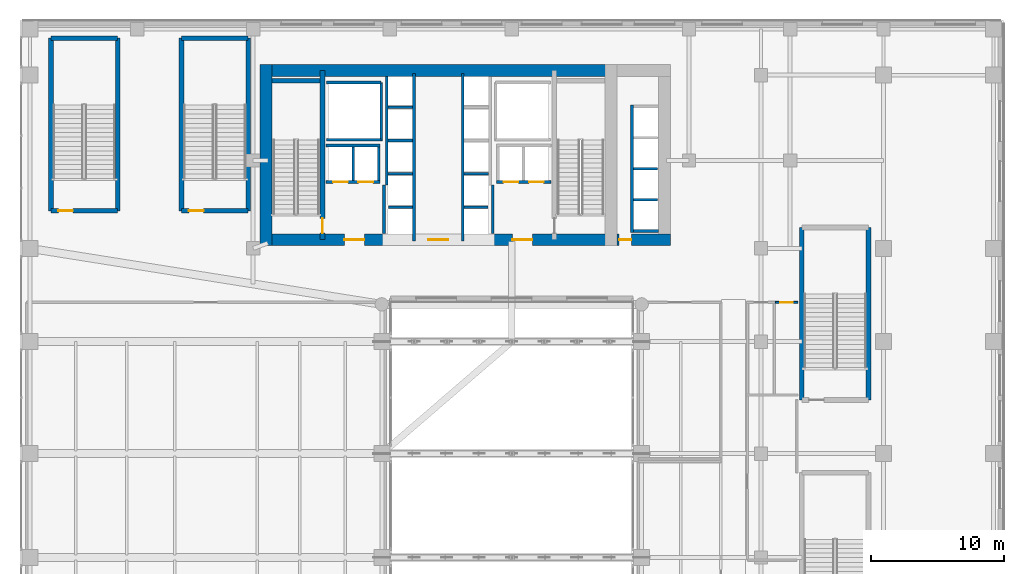
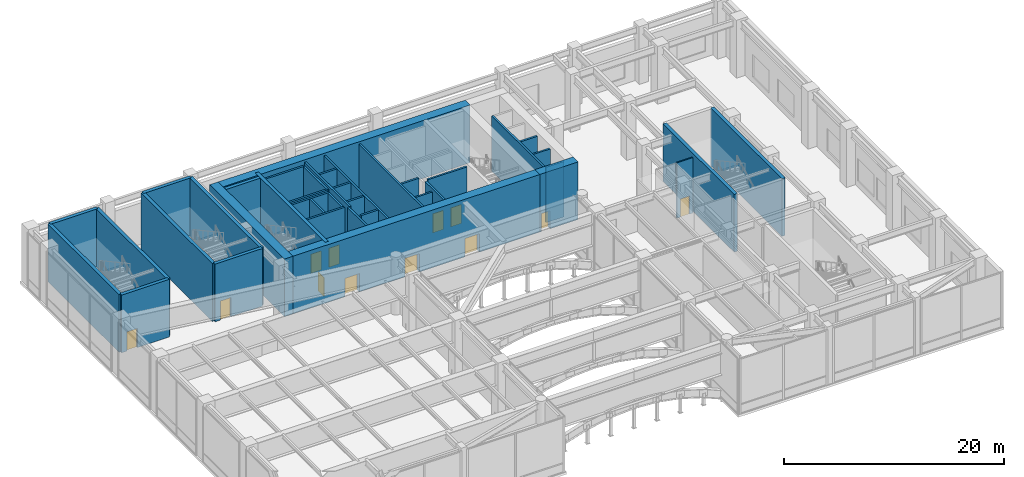
# One storey, part 40 of 50: 40 walls, 12 doors, 12 openings.
"""IFC4 building model written with IfcOpenShell, lengths in metres."""

from ifc_helpers import new_model, si_unit, direction, frame, frame_2d, origin, place, context, subcontext, project, spatial, rectangle, extrude, source, transform, mapped, material, layer, layer_set, type_object, type_shapes, element, fill, save


model = new_model("IFC4")

# Units and contexts
model_context = context("Model", 3, precision=1e-05, world=origin(), true_north=direction((0.0, 1.0)))
body_context = subcontext(model_context, "Body", "Model", "MODEL_VIEW")
ifc_project = project(units=[si_unit("LENGTHUNIT", "METRE"), si_unit("AREAUNIT", "SQUARE_METRE"), si_unit("VOLUMEUNIT", "CUBIC_METRE"), si_unit("PLANEANGLEUNIT", "RADIAN"), si_unit("MASSUNIT", "GRAM", prefix="KILO")], contexts=[model_context])

# Site, building, storey
site_placement = place(None, origin())
site = spatial("IfcSite", under=ifc_project, at=site_placement, CompositionType="ELEMENT")
building_placement = place(site_placement, origin())
building = spatial("IfcBuilding", under=site, at=building_placement, Name="Tolvann Quenvar Hotel", CompositionType="ELEMENT")
storey_placement = place(building_placement, frame((0.0, 0.0, 16.0)))
storey = spatial("IfcBuildingStorey", under=building, at=storey_placement, Name="L03", CompositionType="ELEMENT", Elevation=16.0)

# Wall, openings, doors
ifc_material_1 = material(Name="Concrete S80 (80 MPa)", Category="concrete")
ifc_layer_1 = layer(ifc_material_1, 0.89990234375)
ifc_layer_set_1 = layer_set([ifc_layer_1], Name="Concrete S80 (80 MPa)")
wall_type_1 = type_object("IfcWallType", Name="WALL_CORE_900", PredefinedType="SHEAR", material=ifc_layer_set_1)
wall_1_placement = place(storey_placement, frame((9.60009765625, 32.050048828125, 0.0), z_axis=(0.0, 0.0, 1.0), x_axis=(1.0, 0.0, 0.0)))
wall_1 = element("IfcWall", 1, at=wall_1_placement, inside=storey, type_object=wall_type_1, Name="Rear Core S Shear Wall (L03)", PredefinedType="SHEAR", context=body_context, shape_type="SweptSolid", body=[
    extrude(rectangle(XDim=26.7998046875, YDim=0.89990234375, at=frame_2d((13.39990234375, 0.0))), origin(), (0.0, 0.0, 1.0), 6.39990234375),
])
opening_1_placement = place(wall_1_placement, frame((7.85009765625, 0.0, 0.0), z_axis=(0.0, 0.0, 1.0), x_axis=(-1.0, 0.0, 0.0)))
opening_1 = element("IfcOpeningElement", 2, at=opening_1_placement, cuts=wall_1, Name="Opening FD-60D", PredefinedType="OPENING", context=body_context, shape_type="SweptSolid", body=[
    extrude(rectangle(XDim=1.5, YDim=2.0400390625, at=frame_2d((0.75, 1.02001953125))), frame((0.0, 0.4599609375, 0.0), z_axis=(0.0, -1.0, 0.0), x_axis=(1.0, 0.0, 0.0)), (0.0, 0.0, 1.0), 0.919921875),
])
opening_2_placement = place(wall_1_placement, frame((14.14990234375, 0.0, 0.0), z_axis=(0.0, 0.0, 1.0), x_axis=(-1.0, 0.0, 0.0)))
opening_2 = element("IfcOpeningElement", 3, at=opening_2_placement, cuts=wall_1, Name="Opening FD-60D", PredefinedType="OPENING", context=body_context, shape_type="SweptSolid", body=[
    extrude(rectangle(XDim=1.5, YDim=2.0400390625, at=frame_2d((0.75, 1.02001953125))), frame((0.0, 0.4599609375, 0.0), z_axis=(0.0, -1.0, 0.0), x_axis=(1.0, 0.0, 0.0)), (0.0, 0.0, 1.0), 0.919921875),
])
opening_3_placement = place(wall_1_placement, frame((20.449951171875, 0.0, 0.0), z_axis=(0.0, 0.0, 1.0), x_axis=(-1.0, 0.0, 0.0)))
opening_3 = element("IfcOpeningElement", 4, at=opening_3_placement, cuts=wall_1, Name="Opening FD-60D", PredefinedType="OPENING", context=body_context, shape_type="SweptSolid", body=[
    extrude(rectangle(XDim=1.5, YDim=2.0400390625, at=frame_2d((0.75, 1.02001953125))), frame((0.0, 0.4599609375, 0.0), z_axis=(0.0, -1.0, 0.0), x_axis=(1.0, 0.0, 0.0)), (0.0, 0.0, 1.0), 0.919921875),
])
ifc_material_2 = material(Name="Solid-core American oak acoustic fire door leaf in steel frame", Category="steel")
door_type_1 = type_object("IfcDoorType", Name="DOOR_FIRE_LOBBY_1500", OperationType="NOTDEFINED", PredefinedType="DOOR", material=ifc_material_2)
shared_shape_1 = source(origin(), body_context, "Body", "SweptSolid", [
    extrude(rectangle(XDim=1.5, YDim=2.0400390625, at=frame_2d((0.75, 1.02001953125))), frame((0.0, 0.02490234375, 0.0), z_axis=(0.0, -1.0, 0.0), x_axis=(1.0, 0.0, 0.0)), (0.0, 0.0, 1.0), 0.050048828125),
])
type_shapes(door_type_1, [shared_shape_1])
door_1_placement = place(opening_1_placement, origin())
door_1 = element("IfcDoor", 5, at=door_1_placement, inside=storey, type_object=door_type_1, Name="Core Lobby Fire Door FFW (L03)", OperationType="DOUBLE_DOOR_SINGLE_SWING", OverallHeight=2.0400390625, OverallWidth=1.5, PredefinedType="DOOR", context=body_context, shape_type="MappedRepresentation", body=[
    mapped(shared_shape_1, transform((0.0, 0.0, 0.0), x_axis=(1.0, 0.0, 0.0), y_axis=(0.0, 1.0, 0.0), z_axis=(0.0, 0.0, 1.0), scale=1.0)),
])
fill(opening_1, door_1)
door_2_placement = place(opening_2_placement, origin())
door_2 = element("IfcDoor", 6, at=door_2_placement, inside=storey, type_object=door_type_1, Name="Core Lobby Fire Door CLOB (L03)", OperationType="DOUBLE_DOOR_SINGLE_SWING", OverallHeight=2.0400390625, OverallWidth=1.5, PredefinedType="DOOR", context=body_context, shape_type="MappedRepresentation", body=[
    mapped(shared_shape_1, transform((0.0, 0.0, 0.0), x_axis=(1.0, 0.0, 0.0), y_axis=(0.0, 1.0, 0.0), z_axis=(0.0, 0.0, 1.0), scale=1.0)),
])
fill(opening_2, door_2)
door_3_placement = place(opening_3_placement, origin())
door_3 = element("IfcDoor", 7, at=door_3_placement, inside=storey, type_object=door_type_1, Name="Core Lobby Fire Door FFE (L03)", OperationType="DOUBLE_DOOR_SINGLE_SWING", OverallHeight=2.0400390625, OverallWidth=1.5, PredefinedType="DOOR", context=body_context, shape_type="MappedRepresentation", body=[
    mapped(shared_shape_1, transform((0.0, 0.0, 0.0), x_axis=(1.0, 0.0, 0.0), y_axis=(0.0, 1.0, 0.0), z_axis=(0.0, 0.0, 1.0), scale=1.0)),
])
fill(opening_3, door_3)

# Walls
wall_2_placement = place(storey_placement, frame((9.60009765625, 44.75, 0.0), z_axis=(0.0, 0.0, 1.0), x_axis=(1.0, 0.0, 0.0)))
element("IfcWall", 8, at=wall_2_placement, inside=storey, type_object=wall_type_1, Name="Rear Core N Shear Wall (L03)", PredefinedType="SHEAR", context=body_context, shape_type="SweptSolid", body=[
    extrude(rectangle(XDim=26.7998046875, YDim=0.89990234375, at=frame_2d((13.39990234375, 0.0))), origin(), (0.0, 0.0, 1.0), 6.39990234375),
])
wall_3_placement = place(storey_placement, frame((10.050048828125, 31.60009765625, 0.0), z_axis=(0.0, 0.0, 1.0), x_axis=(0.0, 1.0, 0.0)))
element("IfcWall", 9, at=wall_3_placement, inside=storey, type_object=wall_type_1, Name="Rear Core W Shear Wall (L03)", PredefinedType="SHEAR", context=body_context, shape_type="SweptSolid", body=[
    extrude(rectangle(XDim=13.599853515625, YDim=0.89990234375, at=frame_2d((6.7998046875, 0.0))), origin(), (0.0, 0.0, 1.0), 6.39990234375),
])

# Wall, opening, door
wall_4_placement = place(storey_placement, frame((36.39990234375, 32.050048828125, 0.0), z_axis=(0.0, 0.0, 1.0), x_axis=(1.0, 0.0, 0.0)))
wall_4 = element("IfcWall", 10, at=wall_4_placement, inside=storey, type_object=wall_type_1, Name="Core East Annex Shear Wall ANN-S (L03)", PredefinedType="SHEAR", context=body_context, shape_type="SweptSolid", body=[
    extrude(rectangle(XDim=4.0, YDim=0.89990234375, at=frame_2d((2.0, 0.0))), origin(), (0.0, 0.0, 1.0), 6.39990234375),
])
opening_4_placement = place(wall_4_placement, frame((1.06982421875, 0.0, 0.0), z_axis=(0.0, 0.0, 1.0), x_axis=(-1.0, 0.0, 0.0)))
opening_4 = element("IfcOpeningElement", 11, at=opening_4_placement, cuts=wall_4, Name="Opening WD-01", PredefinedType="OPENING", context=body_context, shape_type="SweptSolid", body=[
    extrude(rectangle(XDim=0.919921875, YDim=2.010009765625, at=frame_2d((0.4599609375, 1.0048828125))), frame((0.0, 0.4599609375, 0.0), z_axis=(0.0, -1.0, 0.0), x_axis=(1.0, 0.0, 0.0)), (0.0, 0.0, 1.0), 0.919921875),
])
door_type_2 = type_object("IfcDoorType", Name="DOOR_WC_920", OperationType="NOTDEFINED", PredefinedType="DOOR", material=ifc_material_2)
shared_shape_2 = source(origin(), body_context, "Body", "SweptSolid", [
    extrude(rectangle(XDim=0.919921875, YDim=2.010009765625, at=frame_2d((0.4599609375, 1.0048828125))), frame((0.0, 0.02490234375, 0.0), z_axis=(0.0, -1.0, 0.0), x_axis=(1.0, 0.0, 0.0)), (0.0, 0.0, 1.0), 0.050048828125),
])
type_shapes(door_type_2, [shared_shape_2])
door_4_placement = place(opening_4_placement, origin())
door_4 = element("IfcDoor", 12, at=door_4_placement, inside=storey, type_object=door_type_2, Name="Low-Rise Lift Lobby Fire Door (L03)", OperationType="SINGLE_SWING_RIGHT", OverallHeight=2.010009765625, OverallWidth=0.919921875, PredefinedType="DOOR", context=body_context, shape_type="MappedRepresentation", body=[
    mapped(shared_shape_2, transform((0.0, 0.0, 0.0), x_axis=(1.0, 0.0, 0.0), y_axis=(0.0, 1.0, 0.0), z_axis=(0.0, 0.0, 1.0), scale=1.0)),
])
fill(opening_4, door_4)

ifc_material_3 = material(Name="Concrete S65 (65 MPa)", Category="concrete")
ifc_layer_2 = layer(ifc_material_3, 0.35009765625)
ifc_layer_set_2 = layer_set([ifc_layer_2], Name="Concrete S65 (65 MPa)")
wall_type_2 = type_object("IfcWallType", Name="WALL_CORE_INT_350", PredefinedType="SHEAR", material=ifc_layer_set_2)
wall_5_placement = place(storey_placement, frame((14.300048828125, 32.050048828125, 0.0), z_axis=(0.0, 0.0, 1.0), x_axis=(0.0, 1.0, 0.0)))
wall_5 = element("IfcWall", 13, at=wall_5_placement, inside=storey, type_object=wall_type_2, Name="Core Internal Web Shear Wall WEB-W (L03)", PredefinedType="SHEAR", context=body_context, shape_type="SweptSolid", body=[
    extrude(rectangle(XDim=12.699951171875, YDim=0.35009765625, at=frame_2d((6.35009765625, 0.0))), origin(), (0.0, 0.0, 1.0), 6.39990234375),
])
opening_5_placement = place(wall_5_placement, frame((0.5, 0.0, 0.0)))
opening_5 = element("IfcOpeningElement", 14, at=opening_5_placement, cuts=wall_5, Name="Opening FD-120", PredefinedType="OPENING", context=body_context, shape_type="SweptSolid", body=[
    extrude(rectangle(XDim=1.10009765625, YDim=2.1201171875, at=frame_2d((0.550048828125, 1.06005859375))), frame((0.0, 0.18505859375, 0.0), z_axis=(0.0, -1.0, 0.0), x_axis=(1.0, 0.0, 0.0)), (0.0, 0.0, 1.0), 0.3701171875),
])
ifc_material_4 = material(Name="Pressed galvanised steel fire-rated door set", Category="steel")
door_type_3 = type_object("IfcDoorType", Name="DOOR_FIRE_STAIR_1100", OperationType="NOTDEFINED", PredefinedType="DOOR", material=ifc_material_4)
shared_shape_3 = source(origin(), body_context, "Body", "SweptSolid", [
    extrude(rectangle(XDim=1.10009765625, YDim=2.1201171875, at=frame_2d((0.550048828125, 1.06005859375))), frame((0.0, 0.02490234375, 0.0), z_axis=(0.0, -1.0, 0.0), x_axis=(1.0, 0.0, 0.0)), (0.0, 0.0, 1.0), 0.050048828125),
])
type_shapes(door_type_3, [shared_shape_3])
door_5_placement = place(opening_5_placement, origin())
door_5 = element("IfcDoor", 15, at=door_5_placement, inside=storey, type_object=door_type_3, Name="Exit Stair ST-C1 Fire Door (L03)", OperationType="SINGLE_SWING_RIGHT", OverallHeight=2.1201171875, OverallWidth=1.10009765625, PredefinedType="DOOR", context=body_context, shape_type="MappedRepresentation", body=[
    mapped(shared_shape_3, transform((0.0, 0.0, 0.0), x_axis=(1.0, 0.0, 0.0), y_axis=(0.0, 1.0, 0.0), z_axis=(0.0, 0.0, 1.0), scale=1.0)),
])
fill(opening_5, door_5)

# Wall
wall_6_placement = place(storey_placement, frame((10.52001953125, 43.97509765625, 0.0), z_axis=(0.0, 0.0, 1.0), x_axis=(1.0, 0.0, 0.0)))
element("IfcWall", 16, at=wall_6_placement, inside=storey, type_object=wall_type_2, Name="Core Stair North Closing Shear Wall STC1-N (L03)", PredefinedType="SHEAR", context=body_context, shape_type="SweptSolid", body=[
    extrude(rectangle(XDim=3.60009765625, YDim=0.35009765625, at=frame_2d((1.800048828125, 0.0))), origin(), (0.0, 0.0, 1.0), 6.39990234375),
])

# Wall, opening, door
wall_7_placement = place(storey_placement, frame((-6.074951171875, 34.22509765625, 0.0), z_axis=(0.0, 0.0, 1.0), x_axis=(1.0, 0.0, 0.0)))
wall_7 = element("IfcWall", 17, at=wall_7_placement, inside=storey, type_object=wall_type_2, Name="Stairwell ST-P1 Structural Shaft Wall S (L03)", PredefinedType="SHEAR", context=body_context, shape_type="SweptSolid", body=[
    extrude(rectangle(XDim=5.0, YDim=0.35009765625, at=frame_2d((2.5, 0.0))), origin(), (0.0, 0.0, 1.0), 6.39990234375),
])
opening_6_placement = place(wall_7_placement, frame((0.550048828125, 0.0, 0.0)))
opening_6 = element("IfcOpeningElement", 18, at=opening_6_placement, cuts=wall_7, Name="Opening FD-120", PredefinedType="OPENING", context=body_context, shape_type="SweptSolid", body=[
    extrude(rectangle(XDim=1.10009765625, YDim=2.1201171875, at=frame_2d((0.550048828125, 1.06005859375))), frame((0.0, 0.18505859375, 0.0), z_axis=(0.0, -1.0, 0.0), x_axis=(1.0, 0.0, 0.0)), (0.0, 0.0, 1.0), 0.3701171875),
])
door_6_placement = place(opening_6_placement, origin())
door_6 = element("IfcDoor", 19, at=door_6_placement, inside=storey, type_object=door_type_3, Name="Exit Stair ST-P1 Fire Door (L03)", OperationType="SINGLE_SWING_RIGHT", OverallHeight=2.1201171875, OverallWidth=1.10009765625, PredefinedType="DOOR", context=body_context, shape_type="MappedRepresentation", body=[
    mapped(shared_shape_3, transform((0.0, 0.0, 0.0), x_axis=(1.0, 0.0, 0.0), y_axis=(0.0, 1.0, 0.0), z_axis=(0.0, 0.0, 1.0), scale=1.0)),
])
fill(opening_6, door_6)

# Walls
wall_8_placement = place(storey_placement, frame((-1.074951171875, 34.22509765625, 0.0), z_axis=(0.0, 0.0, 1.0), x_axis=(0.0, 1.0, 0.0)))
element("IfcWall", 20, at=wall_8_placement, inside=storey, type_object=wall_type_2, Name="Stairwell ST-P1 Structural Shaft Wall E (L03)", PredefinedType="SHEAR", context=body_context, shape_type="SweptSolid", body=[
    extrude(rectangle(XDim=12.949951171875, YDim=0.35009765625, at=frame_2d((6.47509765625, 0.0))), origin(), (0.0, 0.0, 1.0), 6.39990234375),
])
wall_9_placement = place(storey_placement, frame((-1.074951171875, 47.175048828125, 0.0), z_axis=(0.0, 0.0, 1.0), x_axis=(-1.0, 0.0, 0.0)))
element("IfcWall", 21, at=wall_9_placement, inside=storey, type_object=wall_type_2, Name="Stairwell ST-P1 Structural Shaft Wall N (L03)", PredefinedType="SHEAR", context=body_context, shape_type="SweptSolid", body=[
    extrude(rectangle(XDim=5.0, YDim=0.35009765625, at=frame_2d((2.5, 0.0))), origin(), (0.0, 0.0, 1.0), 6.39990234375),
])
wall_10_placement = place(storey_placement, frame((-6.074951171875, 47.175048828125, 0.0), z_axis=(0.0, 0.0, 1.0), x_axis=(0.0, -1.0, 0.0)))
element("IfcWall", 22, at=wall_10_placement, inside=storey, type_object=wall_type_2, Name="Stairwell ST-P1 Structural Shaft Wall W (L03)", PredefinedType="SHEAR", context=body_context, shape_type="SweptSolid", body=[
    extrude(rectangle(XDim=12.949951171875, YDim=0.35009765625, at=frame_2d((6.47509765625, 0.0))), origin(), (0.0, 0.0, 1.0), 6.39990234375),
])

# Wall, opening, door
wall_11_placement = place(storey_placement, frame((3.72509765625, 34.22509765625, 0.0), z_axis=(0.0, 0.0, 1.0), x_axis=(1.0, 0.0, 0.0)))
wall_11 = element("IfcWall", 23, at=wall_11_placement, inside=storey, type_object=wall_type_2, Name="Stairwell ST-P2 Structural Shaft Wall S (L03)", PredefinedType="SHEAR", context=body_context, shape_type="SweptSolid", body=[
    extrude(rectangle(XDim=5.0, YDim=0.35009765625, at=frame_2d((2.5, 0.0))), origin(), (0.0, 0.0, 1.0), 6.39990234375),
])
opening_7_placement = place(wall_11_placement, frame((0.550048828125, 0.0, 0.0)))
opening_7 = element("IfcOpeningElement", 24, at=opening_7_placement, cuts=wall_11, Name="Opening FD-120", PredefinedType="OPENING", context=body_context, shape_type="SweptSolid", body=[
    extrude(rectangle(XDim=1.10009765625, YDim=2.1201171875, at=frame_2d((0.550048828125, 1.06005859375))), frame((0.0, 0.18505859375, 0.0), z_axis=(0.0, -1.0, 0.0), x_axis=(1.0, 0.0, 0.0)), (0.0, 0.0, 1.0), 0.3701171875),
])
door_7_placement = place(opening_7_placement, origin())
door_7 = element("IfcDoor", 25, at=door_7_placement, inside=storey, type_object=door_type_3, Name="Exit Stair ST-P2 Fire Door (L03)", OperationType="SINGLE_SWING_LEFT", OverallHeight=2.1201171875, OverallWidth=1.10009765625, PredefinedType="DOOR", context=body_context, shape_type="MappedRepresentation", body=[
    mapped(shared_shape_3, transform((0.0, 0.0, 0.0), x_axis=(1.0, 0.0, 0.0), y_axis=(0.0, 1.0, 0.0), z_axis=(0.0, 0.0, 1.0), scale=1.0)),
])
fill(opening_7, door_7)

# Walls
wall_12_placement = place(storey_placement, frame((8.72509765625, 34.22509765625, 0.0), z_axis=(0.0, 0.0, 1.0), x_axis=(0.0, 1.0, 0.0)))
element("IfcWall", 26, at=wall_12_placement, inside=storey, type_object=wall_type_2, Name="Stairwell ST-P2 Structural Shaft Wall E (L03)", PredefinedType="SHEAR", context=body_context, shape_type="SweptSolid", body=[
    extrude(rectangle(XDim=12.949951171875, YDim=0.35009765625, at=frame_2d((6.47509765625, 0.0))), origin(), (0.0, 0.0, 1.0), 6.39990234375),
])
wall_13_placement = place(storey_placement, frame((8.72509765625, 47.175048828125, 0.0), z_axis=(0.0, 0.0, 1.0), x_axis=(-1.0, 0.0, 0.0)))
element("IfcWall", 27, at=wall_13_placement, inside=storey, type_object=wall_type_2, Name="Stairwell ST-P2 Structural Shaft Wall N (L03)", PredefinedType="SHEAR", context=body_context, shape_type="SweptSolid", body=[
    extrude(rectangle(XDim=5.0, YDim=0.35009765625, at=frame_2d((2.5, 0.0))), origin(), (0.0, 0.0, 1.0), 6.39990234375),
])
wall_14_placement = place(storey_placement, frame((3.72509765625, 47.175048828125, 0.0), z_axis=(0.0, 0.0, 1.0), x_axis=(0.0, -1.0, 0.0)))
element("IfcWall", 28, at=wall_14_placement, inside=storey, type_object=wall_type_2, Name="Stairwell ST-P2 Structural Shaft Wall W (L03)", PredefinedType="SHEAR", context=body_context, shape_type="SweptSolid", body=[
    extrude(rectangle(XDim=12.949951171875, YDim=0.35009765625, at=frame_2d((6.47509765625, 0.0))), origin(), (0.0, 0.0, 1.0), 6.39990234375),
])
for number, where, z_axis, x_axis, name in (
    (29, (55.27490234375, 20.02490234375, 0.0), (0.0, 0.0, 1.0), (0.0, 1.0, 0.0), "Stairwell ST-P4 Structural Shaft Wall E (L03)"),
    (30, (50.27490234375, 32.97509765625, 0.0), (0.0, 0.0, 1.0), (0.0, -1.0, 0.0), "Stairwell ST-P4 Structural Shaft Wall W (L03)"),
):
    element("IfcWall", number, at=place(storey_placement, frame(where, z_axis=z_axis, x_axis=x_axis)), inside=storey, type_object=wall_type_2, Name=name, PredefinedType="SHEAR", context=body_context, shape_type="SweptSolid", body=[
        extrude(rectangle(XDim=12.9501953125, YDim=0.35009765625, at=frame_2d((6.47509765625, 0.0))), origin(), (0.0, 0.0, 1.0), 6.39990234375),
    ])

# Wall, opening, door
ifc_material_5 = material(Name="Acoustic twin-stud fire-rated gypsum plasterboard partition")
ifc_layer_3 = layer(ifc_material_5, 0.14990234375)
ifc_layer_set_3 = layer_set([ifc_layer_3], Name="Acoustic twin-stud fire-rated gypsum plasterboard partition")
wall_type_3 = type_object("IfcWallType", Name="WALL_PART_SUITE_150", PredefinedType="PARTITIONING", material=ifc_layer_set_3)
wall_15_placement = place(storey_placement, frame((48.280029296875, 27.35009765625, 0.0), z_axis=(0.0, 0.0, 1.0), x_axis=(1.0, 0.0, 0.0)))
wall_15 = element("IfcWall", 31, at=wall_15_placement, inside=storey, type_object=wall_type_3, Name="Interior Partition PT-SPC-L03-WCA-N", PredefinedType="PARTITIONING", context=body_context, shape_type="SweptSolid", body=[
    extrude(rectangle(XDim=1.68994140625, YDim=0.14990234375, at=frame_2d((0.844970703125, 0.0))), origin(), (0.0, 0.0, 1.0), 6.139892578125),
])
opening_8_placement = place(wall_15_placement, frame((0.385009765625, 0.0, 0.0)))
opening_8 = element("IfcOpeningElement", 32, at=opening_8_placement, cuts=wall_15, Name="Opening WD-01", PredefinedType="OPENING", context=body_context, shape_type="SweptSolid", body=[
    extrude(rectangle(XDim=0.919921875, YDim=2.010009765625, at=frame_2d((0.4599609375, 1.0048828125))), frame((0.0, 0.0849609375, 0.0), z_axis=(0.0, -1.0, 0.0), x_axis=(1.0, 0.0, 0.0)), (0.0, 0.0, 1.0), 0.169921875),
])
door_8_placement = place(opening_8_placement, origin())
door_8 = element("IfcDoor", 33, at=door_8_placement, inside=storey, type_object=door_type_2, Name="Interior Door DOOR-SPC-L03-WCA", OperationType="SINGLE_SWING_RIGHT", OverallHeight=2.010009765625, OverallWidth=0.919921875, PredefinedType="DOOR", context=body_context, shape_type="MappedRepresentation", body=[
    mapped(shared_shape_2, transform((0.0, 0.0, 0.0), x_axis=(1.0, 0.0, 0.0), y_axis=(0.0, 1.0, 0.0), z_axis=(0.0, 0.0, 1.0), scale=1.0)),
])
fill(opening_8, door_8)

# Walls
ifc_material_6 = material(Name="Concrete N40 (40 MPa)", Category="concrete")
ifc_layer_4 = layer(ifc_material_6, 0.199951171875)
ifc_layer_set_4 = layer_set([ifc_layer_4], Name="Concrete N40 (40 MPa)")
wall_type_4 = type_object("IfcWallType", Name="WALL_SHAFT_200", PredefinedType="SOLIDWALL", material=ifc_layer_set_4)
wall_16_placement = place(storey_placement, frame((18.699951171875, 39.449951171875, 0.0), z_axis=(0.0, 0.0, 1.0), x_axis=(0.0, 1.0, 0.0)))
element("IfcWall", 34, at=wall_16_placement, inside=storey, type_object=wall_type_4, Name="Service Riser W Shaft Wall IN (L03)", PredefinedType="SOLIDWALL", context=body_context, shape_type="SweptSolid", body=[
    extrude(rectangle(XDim=4.400146484375, YDim=0.199951171875, at=frame_2d((2.2001953125, 0.0))), origin(), (0.0, 0.0, 1.0), 6.139892578125),
])
for number, where, z_axis, x_axis, name in (
    (35, (14.60009765625, 39.550048828125, 0.0), (0.0, 0.0, 1.0), (1.0, 0.0, 0.0), "Service Riser W Shaft Wall S (L03)"),
    (36, (14.60009765625, 43.85009765625, 0.0), (0.0, 0.0, 1.0), (1.0, 0.0, 0.0), "Service Riser W Shaft Wall N (L03)"),
):
    element("IfcWall", number, at=place(storey_placement, frame(where, z_axis=z_axis, x_axis=x_axis)), inside=storey, type_object=wall_type_4, Name=name, PredefinedType="SOLIDWALL", context=body_context, shape_type="SweptSolid", body=[
        extrude(rectangle(XDim=4.099853515625, YDim=0.199951171875, at=frame_2d((2.0498046875, 0.0))), origin(), (0.0, 0.0, 1.0), 6.139892578125),
    ])
for number, where, z_axis, x_axis, name in (
    (37, (18.919921875, 32.50390625, 0.0), (0.0, 0.0, 1.0), (0.0, 1.0, 0.0), "Firefighting Lobby W Inner Fire Wall (L03)"),
    (38, (27.080078125, 32.50390625, 0.0), (0.0, 0.0, 1.0), (0.0, 1.0, 0.0), "Firefighting Lobby E Inner Fire Wall (L03)"),
):
    element("IfcWall", number, at=place(storey_placement, frame(where, z_axis=z_axis, x_axis=x_axis)), inside=storey, type_object=wall_type_4, Name=name, PredefinedType="SOLIDWALL", context=body_context, shape_type="SweptSolid", body=[
        extrude(rectangle(XDim=3.64599609375, YDim=0.199951171875, at=frame_2d((1.822998046875, 0.0))), origin(), (0.0, 0.0, 1.0), 6.139892578125),
    ])
wall_17_placement = place(storey_placement, frame((21.169921875, 31.9599609375, 0.0), z_axis=(0.0, 0.0, 1.0), x_axis=(0.0, 1.0, 0.0)))
element("IfcWall", 39, at=wall_17_placement, inside=storey, type_object=wall_type_4, Name="Lift Bank E21.1C1 Hoistway Front Wall (L03)", PredefinedType="SOLIDWALL", context=body_context, shape_type="SweptSolid", body=[
    extrude(rectangle(XDim=12.580078125, YDim=0.199951171875, at=frame_2d((6.2900390625, 0.0))), origin(), (0.0, 0.0, 1.0), 6.139892578125),
])
wall_18_placement = place(storey_placement, frame((19.1298828125, 36.159912109375, 0.0), z_axis=(0.0, 0.0, 1.0), x_axis=(0.0, 1.0, 0.0)))
element("IfcWall", 40, at=wall_18_placement, inside=storey, type_object=wall_type_4, Name="Lift Bank E21.1C1 Hoistway Rear Wall (L03)", PredefinedType="SOLIDWALL", context=body_context, shape_type="SweptSolid", body=[
    extrude(rectangle(XDim=8.135986328125, YDim=0.199951171875, at=frame_2d((4.06787109375, 0.0))), origin(), (0.0, 0.0, 1.0), 6.139892578125),
])
wall_19_placement = place(storey_placement, frame((19.27001953125, 34.5, 0.0), z_axis=(0.0, 0.0, 1.0), x_axis=(1.0, 0.0, 0.0)))
element("IfcWall", 41, at=wall_19_placement, inside=storey, type_object=wall_type_4, Name="Lift Bank E21.1C1 Divider Wall 1 (L03)", PredefinedType="SOLIDWALL", context=body_context, shape_type="SweptSolid", body=[
    extrude(rectangle(XDim=1.800048828125, YDim=0.199951171875, at=frame_2d((0.89990234375, 0.0))), origin(), (0.0, 0.0, 1.0), 6.139892578125),
])
for number, where, z_axis, x_axis, name in (
    (42, (19.22998046875, 37.0, 0.0), (0.0, 0.0, 1.0), (1.0, 0.0, 0.0), "Lift Bank E21.1C1 Divider Wall 2 (L03)"),
    (43, (19.22998046875, 39.5, 0.0), (0.0, 0.0, 1.0), (1.0, 0.0, 0.0), "Lift Bank E21.1C1 Divider Wall 3 (L03)"),
    (44, (19.22998046875, 42.0, 0.0), (0.0, 0.0, 1.0), (1.0, 0.0, 0.0), "Lift Bank E21.1C1 Divider Wall 4 (L03)"),
):
    element("IfcWall", number, at=place(storey_placement, frame(where, z_axis=z_axis, x_axis=x_axis)), inside=storey, type_object=wall_type_4, Name=name, PredefinedType="SOLIDWALL", context=body_context, shape_type="SweptSolid", body=[
        extrude(rectangle(XDim=1.840087890625, YDim=0.199951171875, at=frame_2d((0.919921875, 0.0))), origin(), (0.0, 0.0, 1.0), 6.139892578125),
    ])

# Wall, openings, doors
wall_20_placement = place(storey_placement, frame((27.375, 36.3798828125, 0.0), z_axis=(0.0, 0.0, 1.0), x_axis=(1.0, 0.0, 0.0)))
wall_20 = element("IfcWall", 45, at=wall_20_placement, inside=storey, type_object=wall_type_4, Name="Lift Bank SEC1 Hoistway Front Wall (L03)", PredefinedType="SOLIDWALL", context=body_context, shape_type="SweptSolid", body=[
    extrude(rectangle(XDim=4.074951171875, YDim=0.199951171875, at=frame_2d((2.03759765625, 0.0))), origin(), (0.0, 0.0, 1.0), 6.139892578125),
])
opening_9_placement = place(wall_20_placement, frame((0.52490234375, 0.0, 0.0)))
opening_9 = element("IfcOpeningElement", 46, at=opening_9_placement, cuts=wall_20, Name="Opening LD-01", PredefinedType="OPENING", context=body_context, shape_type="SweptSolid", body=[
    extrude(rectangle(XDim=1.10009765625, YDim=2.1201171875, at=frame_2d((0.550048828125, 1.06005859375))), frame((0.0, 0.10986328125, 0.0), z_axis=(0.0, -1.0, 0.0), x_axis=(1.0, 0.0, 0.0)), (0.0, 0.0, 1.0), 0.219970703125),
])
opening_10_placement = place(wall_20_placement, frame((2.425048828125, 0.0, 0.0)))
opening_10 = element("IfcOpeningElement", 47, at=opening_10_placement, cuts=wall_20, Name="Opening LD-01", PredefinedType="OPENING", context=body_context, shape_type="SweptSolid", body=[
    extrude(rectangle(XDim=1.10009765625, YDim=2.1201171875, at=frame_2d((0.550048828125, 1.06005859375))), frame((0.0, 0.10986328125, 0.0), z_axis=(0.0, -1.0, 0.0), x_axis=(1.0, 0.0, 0.0)), (0.0, 0.0, 1.0), 0.219970703125),
])
ifc_material_7 = material(Name="Brushed 316 stainless steel automatic sliding lift landing door", Category="steel")
door_type_4 = type_object("IfcDoorType", Name="DOOR_LIFT_SLIDE_1100", OperationType="NOTDEFINED", PredefinedType="DOOR", material=ifc_material_7)
shared_shape_4 = source(origin(), body_context, "Body", "SweptSolid", [
    extrude(rectangle(XDim=1.10009765625, YDim=2.1201171875, at=frame_2d((0.550048828125, 1.06005859375))), frame((0.0, 0.02490234375, 0.0), z_axis=(0.0, -1.0, 0.0), x_axis=(1.0, 0.0, 0.0)), (0.0, 0.0, 1.0), 0.050048828125),
])
type_shapes(door_type_4, [shared_shape_4])
door_9_placement = place(opening_9_placement, origin())
door_9 = element("IfcDoor", 48, at=door_9_placement, inside=storey, type_object=door_type_4, Name="Lift SV-2 Sliding Landing Door (L03)", OperationType="SLIDING_TO_LEFT", OverallHeight=2.1201171875, OverallWidth=1.10009765625, PredefinedType="DOOR", context=body_context, shape_type="MappedRepresentation", body=[
    mapped(shared_shape_4, transform((0.0, 0.0, 0.0), x_axis=(1.0, 0.0, 0.0), y_axis=(0.0, 1.0, 0.0), z_axis=(0.0, 0.0, 1.0), scale=1.0)),
])
fill(opening_9, door_9)
door_10_placement = place(opening_10_placement, origin())
door_10 = element("IfcDoor", 49, at=door_10_placement, inside=storey, type_object=door_type_4, Name="Lift FF-2 Sliding Landing Door (L03)", OperationType="SLIDING_TO_RIGHT", OverallHeight=2.1201171875, OverallWidth=1.10009765625, PredefinedType="DOOR", context=body_context, shape_type="MappedRepresentation", body=[
    mapped(shared_shape_4, transform((0.0, 0.0, 0.0), x_axis=(1.0, 0.0, 0.0), y_axis=(0.0, 1.0, 0.0), z_axis=(0.0, 0.0, 1.0), scale=1.0)),
])
fill(opening_10, door_10)

wall_21_placement = place(storey_placement, frame((14.550048828125, 36.3798828125, 0.0), z_axis=(0.0, 0.0, 1.0), x_axis=(1.0, 0.0, 0.0)))
wall_21 = element("IfcWall", 50, at=wall_21_placement, inside=storey, type_object=wall_type_4, Name="Lift Bank SWC1 Hoistway Front Wall (L03)", PredefinedType="SOLIDWALL", context=body_context, shape_type="SweptSolid", body=[
    extrude(rectangle(XDim=4.074951171875, YDim=0.199951171875, at=frame_2d((2.03759765625, 0.0))), origin(), (0.0, 0.0, 1.0), 6.139892578125),
])
opening_11_placement = place(wall_21_placement, frame((0.550048828125, 0.0, 0.0)))
opening_11 = element("IfcOpeningElement", 51, at=opening_11_placement, cuts=wall_21, Name="Opening LD-01", PredefinedType="OPENING", context=body_context, shape_type="SweptSolid", body=[
    extrude(rectangle(XDim=1.10009765625, YDim=2.1201171875, at=frame_2d((0.550048828125, 1.06005859375))), frame((0.0, 0.10986328125, 0.0), z_axis=(0.0, -1.0, 0.0), x_axis=(1.0, 0.0, 0.0)), (0.0, 0.0, 1.0), 0.219970703125),
])
opening_12_placement = place(wall_21_placement, frame((2.449951171875, 0.0, 0.0)))
opening_12 = element("IfcOpeningElement", 52, at=opening_12_placement, cuts=wall_21, Name="Opening LD-01", PredefinedType="OPENING", context=body_context, shape_type="SweptSolid", body=[
    extrude(rectangle(XDim=1.10009765625, YDim=2.1201171875, at=frame_2d((0.550048828125, 1.06005859375))), frame((0.0, 0.10986328125, 0.0), z_axis=(0.0, -1.0, 0.0), x_axis=(1.0, 0.0, 0.0)), (0.0, 0.0, 1.0), 0.219970703125),
])
door_11_placement = place(opening_11_placement, origin())
door_11 = element("IfcDoor", 53, at=door_11_placement, inside=storey, type_object=door_type_4, Name="Lift FF-1 Sliding Landing Door (L03)", OperationType="SLIDING_TO_LEFT", OverallHeight=2.1201171875, OverallWidth=1.10009765625, PredefinedType="DOOR", context=body_context, shape_type="MappedRepresentation", body=[
    mapped(shared_shape_4, transform((0.0, 0.0, 0.0), x_axis=(1.0, 0.0, 0.0), y_axis=(0.0, 1.0, 0.0), z_axis=(0.0, 0.0, 1.0), scale=1.0)),
])
fill(opening_11, door_11)
door_12_placement = place(opening_12_placement, origin())
door_12 = element("IfcDoor", 54, at=door_12_placement, inside=storey, type_object=door_type_4, Name="Lift SV-1 Sliding Landing Door (L03)", OperationType="SLIDING_TO_RIGHT", OverallHeight=2.1201171875, OverallWidth=1.10009765625, PredefinedType="DOOR", context=body_context, shape_type="MappedRepresentation", body=[
    mapped(shared_shape_4, transform((0.0, 0.0, 0.0), x_axis=(1.0, 0.0, 0.0), y_axis=(0.0, 1.0, 0.0), z_axis=(0.0, 0.0, 1.0), scale=1.0)),
])
fill(opening_12, door_12)

# Walls
wall_22_placement = place(storey_placement, frame((14.550048828125, 39.1201171875, 0.0), z_axis=(0.0, 0.0, 1.0), x_axis=(1.0, 0.0, 0.0)))
element("IfcWall", 55, at=wall_22_placement, inside=storey, type_object=wall_type_4, Name="Lift Bank SWC1 Hoistway Rear Wall (L03)", PredefinedType="SOLIDWALL", context=body_context, shape_type="SweptSolid", body=[
    extrude(rectangle(XDim=4.074951171875, YDim=0.199951171875, at=frame_2d((2.03759765625, 0.0))), origin(), (0.0, 0.0, 1.0), 6.139892578125),
])
for number, where, z_axis, x_axis, name in (
    (56, (18.52490234375, 36.47998046875, 0.0), (0.0, 0.0, 1.0), (0.0, 1.0, 0.0), "Lift Bank SWC1 Hoistway Cheek Wall 2 (L03)"),
    (57, (16.612548828125, 36.47998046875, 0.0), (0.0, 0.0, 1.0), (0.0, 1.0, 0.0), "Lift Bank SWC1 Divider Wall 1 (L03)"),
):
    element("IfcWall", number, at=place(storey_placement, frame(where, z_axis=z_axis, x_axis=x_axis)), inside=storey, type_object=wall_type_4, Name=name, PredefinedType="SOLIDWALL", context=body_context, shape_type="SweptSolid", body=[
        extrude(rectangle(XDim=2.5400390625, YDim=0.199951171875, at=frame_2d((1.27001953125, 0.0))), origin(), (0.0, 0.0, 1.0), 6.139892578125),
    ])
wall_23_placement = place(storey_placement, frame((24.830078125, 31.9599609375, 0.0), z_axis=(0.0, 0.0, 1.0), x_axis=(0.0, 1.0, 0.0)))
element("IfcWall", 58, at=wall_23_placement, inside=storey, type_object=wall_type_4, Name="Lift Bank W24.9C1 Hoistway Front Wall (L03)", PredefinedType="SOLIDWALL", context=body_context, shape_type="SweptSolid", body=[
    extrude(rectangle(XDim=12.580078125, YDim=0.199951171875, at=frame_2d((6.2900390625, 0.0))), origin(), (0.0, 0.0, 1.0), 6.139892578125),
])
wall_24_placement = place(storey_placement, frame((24.929931640625, 34.5, 0.0), z_axis=(0.0, 0.0, 1.0), x_axis=(1.0, 0.0, 0.0)))
element("IfcWall", 59, at=wall_24_placement, inside=storey, type_object=wall_type_4, Name="Lift Bank W24.9C1 Divider Wall 1 (L03)", PredefinedType="SOLIDWALL", context=body_context, shape_type="SweptSolid", body=[
    extrude(rectangle(XDim=1.800048828125, YDim=0.199951171875, at=frame_2d((0.89990234375, 0.0))), origin(), (0.0, 0.0, 1.0), 6.139892578125),
])
wall_25_placement = place(storey_placement, frame((24.929931640625, 37.0, 0.0), z_axis=(0.0, 0.0, 1.0), x_axis=(1.0, 0.0, 0.0)))
element("IfcWall", 60, at=wall_25_placement, inside=storey, type_object=wall_type_4, Name="Lift Bank W24.9C1 Divider Wall 2 (L03)", PredefinedType="SOLIDWALL", context=body_context, shape_type="SweptSolid", body=[
    extrude(rectangle(XDim=1.840087890625, YDim=0.199951171875, at=frame_2d((0.919921875, 0.0))), origin(), (0.0, 0.0, 1.0), 6.139892578125),
])
wall_26_placement = place(storey_placement, frame((37.530029296875, 32.610107421875, 0.0), z_axis=(0.0, 0.0, 1.0), x_axis=(0.0, 1.0, 0.0)))
element("IfcWall", 61, at=wall_26_placement, inside=storey, type_object=wall_type_4, Name="Lift Bank W37.6C1 Hoistway Front Wall (L03)", PredefinedType="SOLIDWALL", context=body_context, shape_type="SweptSolid", body=[
    extrude(rectangle(XDim=9.539794921875, YDim=0.199951171875, at=frame_2d((4.77001953125, 0.0))), origin(), (0.0, 0.0, 1.0), 6.139892578125),
])
wall_27_placement = place(storey_placement, frame((37.6298828125, 32.7099609375, 0.0), z_axis=(0.0, 0.0, 1.0), x_axis=(1.0, 0.0, 0.0)))
element("IfcWall", 62, at=wall_27_placement, inside=storey, type_object=wall_type_4, Name="Lift Bank W37.6C1 Hoistway Cheek Wall 1 (L03)", PredefinedType="SOLIDWALL", context=body_context, shape_type="SweptSolid", body=[
    extrude(rectangle(XDim=1.8701171875, YDim=0.199951171875, at=frame_2d((0.93505859375, 0.0))), origin(), (0.0, 0.0, 1.0), 6.139892578125),
])
for number, where, z_axis, x_axis, name in (
    (63, (37.6298828125, 35.06005859375, 0.0), (0.0, 0.0, 1.0), (1.0, 0.0, 0.0), "Lift Bank W37.6C1 Divider Wall 1 (L03)"),
    (64, (37.6298828125, 37.3798828125, 0.0), (0.0, 0.0, 1.0), (1.0, 0.0, 0.0), "Lift Bank W37.6C1 Divider Wall 2 (L03)"),
):
    element("IfcWall", number, at=place(storey_placement, frame(where, z_axis=z_axis, x_axis=x_axis)), inside=storey, type_object=wall_type_4, Name=name, PredefinedType="SOLIDWALL", context=body_context, shape_type="SweptSolid", body=[
        extrude(rectangle(XDim=1.800048828125, YDim=0.199951171875, at=frame_2d((0.89990234375, 0.0))), origin(), (0.0, 0.0, 1.0), 6.139892578125),
    ])

save(model, "model.ifc")
